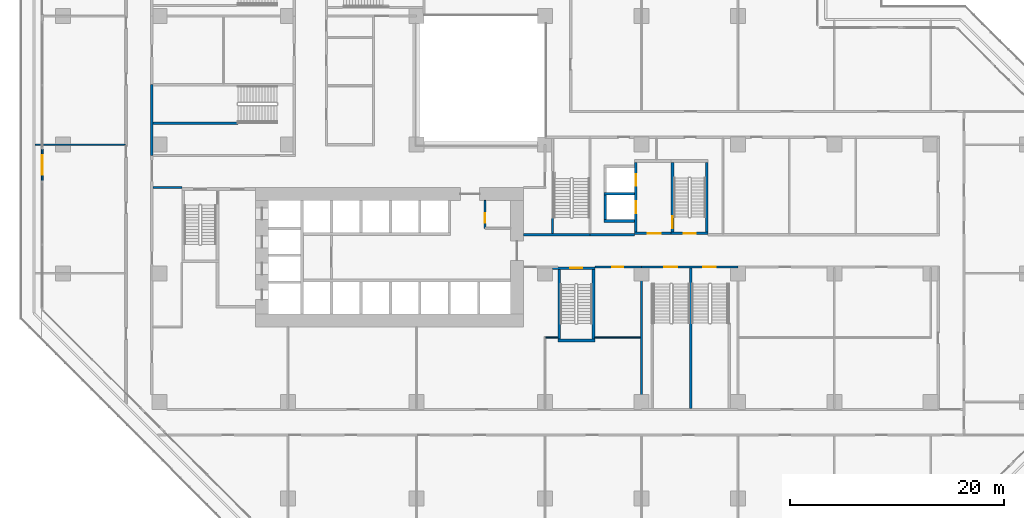
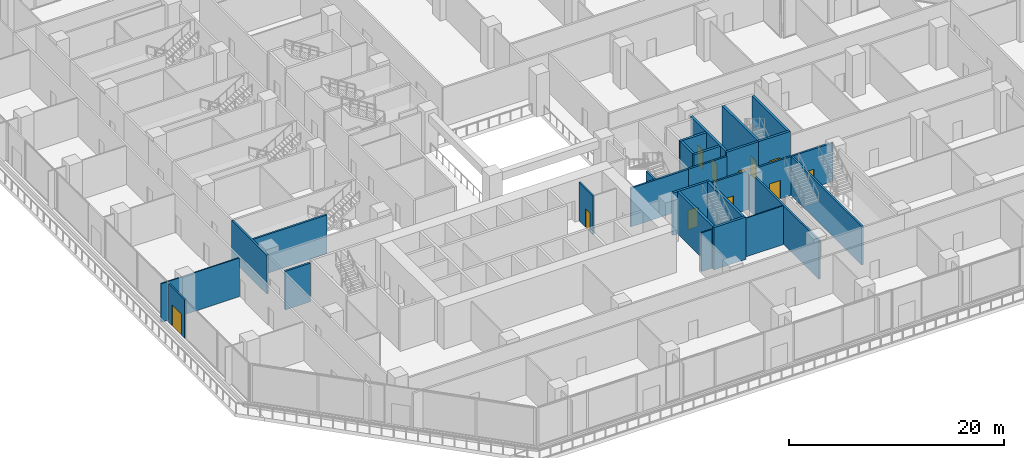
# One storey, part 16 of 31: 27 walls, 11 doors, 11 openings.
"""IFC4 building model written with IfcOpenShell, lengths in metres."""

import ifcopenshell
import ifcopenshell.guid

model = None  # the IFC model being written
_history = None  # IfcOwnerHistory: only IFC2X3 demands one
_inside = {}  # id of a spatial element -> (the spatial element, [elements in it])
_under = {}  # id of a project, library or spatial element -> (it, [spatial elements below it])
_declared = {}  # id of a project -> (the project, [libraries it declares])
_typed = {}  # id of a type object -> (the type object, [elements of that type])
_made_of = {}  # id of a material, layer set ... -> (it, [elements and type objects made of it])


def new_model(schema):
    """Start an empty IFC model of exactly this schema.

    Asked for "IFC4X3", IfcOpenShell would pick the latest addendum, in which some entities
    have other attributes; the version numbers below select the first issue.
    IFC2X3 requires an IfcOwnerHistory on every rooted entity: one is made here for all.
    """
    global model, _history
    if schema == "IFC4X3":
        model = ifcopenshell.file(schema_version=(4, 3, 0, 0))
    else:
        model = ifcopenshell.file(schema=schema)
    _inside.clear()
    _under.clear()
    _declared.clear()
    _typed.clear()
    _made_of.clear()
    _history = None
    if model.schema == "IFC2X3":
        org = make("IfcOrganization", Name="unknown")
        user = make(
            "IfcPersonAndOrganization",
            ThePerson=make("IfcPerson", FamilyName="unknown"),
            TheOrganization=org,
        )
        app = make(
            "IfcApplication",
            ApplicationDeveloper=org,
            Version="unknown",
            ApplicationFullName="unknown",
            ApplicationIdentifier="unknown",
        )
        _history = make(
            "IfcOwnerHistory",
            OwningUser=user,
            OwningApplication=app,
            ChangeAction="ADDED",
            CreationDate=0,
        )
    return model


def make(cls, **values):
    """One entity of the class cls with the attributes given. An attribute that is None is left unset."""
    return model.create_entity(
        cls, **{name: value for name, value in values.items() if value is not None}
    )


def rooted(cls, **values):
    """An entity with a GlobalId (a new one), such as an element, a storey or a relation."""
    return make(cls, GlobalId=ifcopenshell.guid.new(), OwnerHistory=_history, **values)


def si_unit(unit_type, name, prefix=None):
    """IfcSIUnit, for example si_unit("LENGTHUNIT", "METRE", prefix="MILLI")."""
    return make("IfcSIUnit", UnitType=unit_type, Prefix=prefix, Name=name)


def assignment(units):
    """IfcUnitAssignment: the units of a project."""
    return None if units is None else make("IfcUnitAssignment", Units=units)


def point(xyz):
    """IfcCartesianPoint."""
    return None if xyz is None else make("IfcCartesianPoint", Coordinates=xyz)


def direction(xyz):
    """IfcDirection."""
    return None if xyz is None else make("IfcDirection", DirectionRatios=xyz)


def frame(location, z_axis=None, x_axis=None):
    """IfcAxis2Placement3D, a coordinate frame: its origin and axes. An axis left out is left unset."""
    return make(
        "IfcAxis2Placement3D",
        Location=point(location),
        Axis=direction(z_axis),
        RefDirection=direction(x_axis),
    )


def frame_2d(location, x_axis=None):
    """IfcAxis2Placement2D, a coordinate frame in the plane: its origin and x axis."""
    return make(
        "IfcAxis2Placement2D", Location=point(location), RefDirection=direction(x_axis)
    )


def origin():
    """The frame at (0, 0, 0) with its axes left unset."""
    return frame((0.0, 0.0, 0.0))


def place(relative_to, where):
    """IfcLocalPlacement: puts the frame where relative to a parent placement (None: the world)."""
    return make(
        "IfcLocalPlacement", PlacementRelTo=relative_to, RelativePlacement=where
    )


def context(
    kind, dimensions, precision=None, world=None, true_north=None, identifier=None
):
    """IfcGeometricRepresentationContext, for example the 3D "Model" context."""
    return make(
        "IfcGeometricRepresentationContext",
        ContextIdentifier=identifier,
        ContextType=kind,
        CoordinateSpaceDimension=dimensions,
        Precision=precision,
        WorldCoordinateSystem=world,
        TrueNorth=true_north,
    )


def subcontext(parent, identifier, kind, view, scale=None):
    """IfcGeometricRepresentationSubContext, for example "Body" below "Model"."""
    return make(
        "IfcGeometricRepresentationSubContext",
        ContextIdentifier=identifier,
        ContextType=kind,
        ParentContext=parent,
        TargetScale=scale,
        TargetView=view,
    )


def project(units=None, contexts=None):
    """IfcProject with its units and contexts."""
    return rooted(
        "IfcProject",
        Name="project",
        RepresentationContexts=contexts,
        UnitsInContext=assignment(units),
    )


def spatial(cls, under=None, at=None, **own):
    """A site, building, storey or space (cls), placed at a placement, below another one or the project."""
    s = rooted(cls, ObjectPlacement=at, **own)
    if under is not None:
        _under.setdefault(under.id(), (under, []))[1].append(s)
    return s


def profile(cls, at=None, kind="AREA", **sizes):
    """A parametric profile (cls). Its sizes go by their IFC names, for example OverallWidth=200.0."""
    return make(cls, ProfileType=kind, Position=at, **sizes)


def rectangle(**sizes):
    """IfcRectangleProfileDef."""
    return profile("IfcRectangleProfileDef", **sizes)


def extrude(swept, where, along, depth):
    """IfcExtrudedAreaSolid: the profile swept, set in the frame where, extruded along a direction by depth."""
    return make(
        "IfcExtrudedAreaSolid",
        SweptArea=swept,
        Position=where,
        ExtrudedDirection=direction(along),
        Depth=depth,
    )


def shape(context_of_items, identifier, shape_type, items):
    """IfcShapeRepresentation: the items that make up one representation, for example the "Body"."""
    return make(
        "IfcShapeRepresentation",
        ContextOfItems=context_of_items,
        RepresentationIdentifier=identifier,
        RepresentationType=shape_type,
        Items=items,
    )


def material(Name=None, Category=None):
    """IfcMaterial."""
    return make("IfcMaterial", Name=Name, Category=Category)


def layer(
    of_material, thickness, ventilated=None, Name=None, Category=None, Priority=None
):
    """IfcMaterialLayer: one layer of a wall or slab, of a material (None: an air gap)."""
    return make(
        "IfcMaterialLayer",
        Material=of_material,
        LayerThickness=thickness,
        IsVentilated=ventilated,
        Name=Name,
        Category=Category,
        Priority=Priority,
    )


def layer_set(layers, Name=None):
    """IfcMaterialLayerSet."""
    return make("IfcMaterialLayerSet", MaterialLayers=layers, LayerSetName=Name)


def made_of(thing, what):
    """Note that an element or type object is made of a material, layer set ...; save() writes the relation."""
    if what is not None:
        _made_of.setdefault(what.id(), (what, []))[1].append(thing)
    return thing


def type_object(cls, material=None, **own):
    """A type object (cls), such as IfcWallType, which elements share."""
    return made_of(rooted(cls, **own), material)


def element(
    cls,
    number,
    at=None,
    inside=None,
    cuts=None,
    type_object=None,
    material=None,
    context=None,
    identifier="Body",
    shape_type=None,
    held_by="IfcProductDefinitionShape",
    body=None,
    shapes=None,
    **own,
):
    """One element of the class cls, such as IfcWall. Its Tag is "e" and its number.

    at: its placement. inside: the storey or other place that contains it. cuts: it is an
    opening in that element (IfcRelVoidsElement). A single representation is given by context,
    identifier, shape_type and body (its items); several are given by shapes. held_by: the class
    of the entity that holds the representations. save() writes the other relations.
    """
    e = rooted(cls, Tag="e%d" % number, ObjectPlacement=at, **own)
    if body is not None:
        shapes = [shape(context, identifier, shape_type, body)]
    if shapes is not None:
        e.Representation = make(held_by, Representations=shapes)
    if inside is not None:
        _inside.setdefault(inside.id(), (inside, []))[1].append(e)
    if cuts is not None:
        rooted(
            "IfcRelVoidsElement", RelatingBuildingElement=cuts, RelatedOpeningElement=e
        )
    if type_object is not None:
        _typed.setdefault(type_object.id(), (type_object, []))[1].append(e)
    return made_of(e, material)


def fill(opening, filler):
    """IfcRelFillsElement: the door or window that sits in an opening."""
    return rooted(
        "IfcRelFillsElement",
        RelatingOpeningElement=opening,
        RelatedBuildingElement=filler,
    )


def aggregate(whole, parts):
    """IfcRelAggregates: a whole, such as a stair, and the parts it consists of."""
    return rooted("IfcRelAggregates", RelatingObject=whole, RelatedObjects=parts)


def save(model, path):
    """Write the relations noted so far, then the file.

    IfcRelAggregates (storeys below a building ...), IfcRelContainedInSpatialStructure (elements
    in a storey), IfcRelDefinesByType, IfcRelAssociatesMaterial and IfcRelDeclares: one each for
    every whole, place, type object, material and project.
    """
    for whole, parts in _under.values():
        aggregate(whole, parts)
    for where, things in _inside.values():
        rooted(
            "IfcRelContainedInSpatialStructure",
            RelatedElements=things,
            RelatingStructure=where,
        )
    for kind, things in _typed.values():
        rooted("IfcRelDefinesByType", RelatedObjects=things, RelatingType=kind)
    for what, things in _made_of.values():
        rooted("IfcRelAssociatesMaterial", RelatedObjects=things, RelatingMaterial=what)
    for by, libraries in _declared.values():
        rooted("IfcRelDeclares", RelatingContext=by, RelatedDefinitions=libraries)
    model.write(path)


model = new_model("IFC4")

# Units and contexts
model_context = context("Model", 3, precision=1e-05, world=origin(), true_north=direction((0.0, 1.0)))
body_context = subcontext(model_context, "Body", "Model", "MODEL_VIEW")
ifc_project = project(units=[si_unit("LENGTHUNIT", "METRE"), si_unit("AREAUNIT", "SQUARE_METRE"), si_unit("VOLUMEUNIT", "CUBIC_METRE"), si_unit("PLANEANGLEUNIT", "RADIAN"), si_unit("MASSUNIT", "GRAM", prefix="KILO")], contexts=[model_context])

# Site, building, storey
site_placement = place(None, origin())
site = spatial("IfcSite", under=ifc_project, at=site_placement, CompositionType="ELEMENT")
building_placement = place(site_placement, origin())
building = spatial("IfcBuilding", under=site, at=building_placement, Name="Chenar Terraces", CompositionType="ELEMENT")
storey_placement = place(building_placement, frame((0.0, 0.0, 12.0)))
storey = spatial("IfcBuildingStorey", under=building, at=storey_placement, Name="L02", CompositionType="ELEMENT", Elevation=12.0)

# Walls
ifc_material_1 = material(Name="Gypsum board on steel studs with mineral wool", Category="steel")
ifc_layer_1 = layer(ifc_material_1, 0.125)
ifc_layer_set_1 = layer_set([ifc_layer_1], Name="Gypsum board on steel studs with mineral wool")
wall_type_1 = type_object("IfcWallType", Name="Acoustic partition 125", PredefinedType="PARTITIONING", material=ifc_layer_set_1)
wall_1_placement = place(storey_placement, frame((-11.60009765625, 24.0, 0.0), z_axis=(0.0, 0.0, 1.0), x_axis=(1.0, 0.0, 0.0)))
element("IfcWall", 1, at=wall_1_placement, inside=storey, type_object=wall_type_1, Name="Partition L02-002", PredefinedType="PARTITIONING", context=body_context, shape_type="SweptSolid", body=[
    extrude(rectangle(XDim=8.400146484375, YDim=0.125, at=frame_2d((4.2001953125, 0.0))), origin(), (0.0, 0.0, 1.0), 4.39990234375),
])
wall_2_placement = place(storey_placement, frame((36.06201171875, 6.0, 0.0), z_axis=(0.0, 0.0, 1.0), x_axis=(1.0, 0.0, 0.0)))
element("IfcWall", 2, at=wall_2_placement, inside=storey, type_object=wall_type_1, Name="Partition L02-085", PredefinedType="PARTITIONING", context=body_context, shape_type="SweptSolid", body=[
    extrude(rectangle(XDim=1.137939453125, YDim=0.125, at=frame_2d((0.56884765625, 0.0))), origin(), (0.0, 0.0, 1.0), 4.39990234375),
])
wall_3_placement = place(storey_placement, frame((40.64990234375, 6.0, 0.0), z_axis=(0.0, 0.0, 1.0), x_axis=(1.0, 0.0, 0.0)))
element("IfcWall", 3, at=wall_3_placement, inside=storey, type_object=wall_type_1, Name="Partition L02-092", PredefinedType="PARTITIONING", context=body_context, shape_type="SweptSolid", body=[
    extrude(rectangle(XDim=4.25, YDim=0.125, at=frame_2d((2.125, 0.0))), origin(), (0.0, 0.0, 1.0), 4.39990234375),
])

# Wall, opening, door
ifc_material_2 = material(Name="Gypsum board on steel studs", Category="steel")
ifc_layer_2 = layer(ifc_material_2, 0.14990234375)
ifc_layer_set_2 = layer_set([ifc_layer_2], Name="Gypsum board on steel studs")
wall_type_2 = type_object("IfcWallType", Name="Core partition 150 gypsum board", PredefinedType="PARTITIONING", material=ifc_layer_set_2)
wall_4_placement = place(storey_placement, frame((30.39990234375, 16.199951171875, 0.0), z_axis=(0.0, 0.0, 1.0), x_axis=(0.0, 1.0, 0.0)))
wall_4 = element("IfcWall", 4, at=wall_4_placement, inside=storey, type_object=wall_type_2, Name="Core partition CP1 vestibule room west wall", PredefinedType="PARTITIONING", context=body_context, shape_type="SweptSolid", body=[
    extrude(rectangle(XDim=2.60009765625, YDim=0.14990234375, at=frame_2d((1.300048828125, 0.0))), origin(), (0.0, 0.0, 1.0), 4.39990234375),
])
opening_1_placement = place(wall_4_placement, frame((0.5, 0.0, 0.0)))
opening_1 = element("IfcOpeningElement", 5, at=opening_1_placement, cuts=wall_4, Name="Opening DL02-C13", PredefinedType="OPENING", context=body_context, shape_type="SweptSolid", body=[
    extrude(rectangle(XDim=0.89990234375, YDim=2.10009765625, at=frame_2d((0.449951171875, 1.050048828125))), frame((0.0, 0.0849609375, 0.0), z_axis=(0.0, -1.0, 0.0), x_axis=(1.0, 0.0, 0.0)), (0.0, 0.0, 1.0), 0.169921875),
])
ifc_material_3 = material(Name="Steel-framed fire-resisting door leaf", Category="steel")
door_type_1 = type_object("IfcDoorType", Name="Riser fire door FD60 900 x 2100", OperationType="SINGLE_SWING_LEFT", PredefinedType="DOOR", material=ifc_material_3)
door_1_placement = place(opening_1_placement, frame((0.89990234375, 0.0, 0.0), z_axis=(0.0, 0.0, 1.0), x_axis=(-1.0, 0.0, 0.0)))
door_1 = element("IfcDoor", 6, at=door_1_placement, inside=storey, type_object=door_type_1, Name="Core room door DL02-C13", OperationType="SINGLE_SWING_RIGHT", OverallHeight=2.10009765625, OverallWidth=0.89990234375, PredefinedType="DOOR", context=body_context, shape_type="SweptSolid", body=[
    extrude(rectangle(XDim=0.89990234375, YDim=2.10009765625, at=frame_2d((0.449951171875, 1.050048828125))), frame((0.0, 0.02490234375, 0.0), z_axis=(0.0, -1.0, 0.0), x_axis=(1.0, 0.0, 0.0)), (0.0, 0.0, 1.0), 0.050048828125),
])
fill(opening_1, door_1)

# Wall
ifc_material_4 = material(Name="Concrete C70/85", Category="concrete")
ifc_layer_3 = layer(ifc_material_4, 0.25)
ifc_layer_set_3 = layer_set([ifc_layer_3], Name="Concrete C70/85")
wall_type_3 = type_object("IfcWallType", Name="Core wall 250 Concrete C70/85", PredefinedType="SHEAR", material=ifc_layer_set_3)
wall_5_placement = place(storey_placement, frame((37.199951171875, 5.72509765625, 0.0), z_axis=(0.0, 0.0, 1.0), x_axis=(1.0, 0.0, 0.0)))
element("IfcWall", 7, at=wall_5_placement, inside=storey, type_object=wall_type_3, Name="Core wall ST2_S L02", PredefinedType="SHEAR", context=body_context, shape_type="SweptSolid", body=[
    extrude(rectangle(XDim=3.449951171875, YDim=0.25, at=frame_2d((1.72509765625, 0.0))), origin(), (0.0, 0.0, 1.0), 4.800048828125),
])

# Wall, opening, door
wall_6_placement = place(storey_placement, frame((36.699951171875, 12.47509765625, 0.0), z_axis=(0.0, 0.0, 1.0), x_axis=(1.0, 0.0, 0.0)))
wall_6 = element("IfcWall", 8, at=wall_6_placement, inside=storey, type_object=wall_type_3, Name="Core wall ST2_N L02", PredefinedType="SHEAR", context=body_context, shape_type="SweptSolid", body=[
    extrude(rectangle(XDim=3.949951171875, YDim=0.25, at=frame_2d((1.97509765625, 0.0))), origin(), (0.0, 0.0, 1.0), 4.800048828125),
])
opening_2_placement = place(wall_6_placement, frame((1.675048828125, 0.0, 0.0)))
opening_2 = element("IfcOpeningElement", 9, at=opening_2_placement, cuts=wall_6, Name="Opening DL02-C7", PredefinedType="OPENING", context=body_context, shape_type="SweptSolid", body=[
    extrude(rectangle(XDim=1.10009765625, YDim=2.199951171875, at=frame_2d((0.550048828125, 1.10009765625))), frame((0.0, 0.135009765625, 0.0), z_axis=(0.0, -1.0, 0.0), x_axis=(1.0, 0.0, 0.0)), (0.0, 0.0, 1.0), 0.27001953125),
])
ifc_material_5 = material(Name="Steel-framed fire-resisting door leaf", Category="steel")
door_type_2 = type_object("IfcDoorType", Name="Stair fire door FD60 1100 x 2200", OperationType="SINGLE_SWING_LEFT", PredefinedType="DOOR", material=ifc_material_5)
door_2_placement = place(opening_2_placement, frame((1.10009765625, 0.0, 0.0), z_axis=(0.0, 0.0, 1.0), x_axis=(-1.0, 0.0, 0.0)))
door_2 = element("IfcDoor", 10, at=door_2_placement, inside=storey, type_object=door_type_2, Name="Stair door DL02-C7", OperationType="SINGLE_SWING_RIGHT", OverallHeight=2.199951171875, OverallWidth=1.10009765625, PredefinedType="DOOR", context=body_context, shape_type="SweptSolid", body=[
    extrude(rectangle(XDim=1.10009765625, YDim=2.199951171875, at=frame_2d((0.550048828125, 1.10009765625))), frame((0.0, 0.02490234375, 0.0), z_axis=(0.0, -1.0, 0.0), x_axis=(1.0, 0.0, 0.0)), (0.0, 0.0, 1.0), 0.050048828125),
])
fill(opening_2, door_2)

# Walls
for number, where, z_axis, x_axis, name in (
    (11, (37.324951171875, 5.85009765625, 0.0), (0.0, 0.0, 1.0), (0.0, 1.0, 0.0), "Core wall ST2_W L02"),
    (12, (40.52490234375, 5.85009765625, 0.0), (0.0, 0.0, 1.0), (0.0, 1.0, 0.0), "Core wall ST2_E L02"),
):
    element("IfcWall", number, at=place(storey_placement, frame(where, z_axis=z_axis, x_axis=x_axis)), inside=storey, type_object=wall_type_3, Name=name, PredefinedType="SHEAR", context=body_context, shape_type="SweptSolid", body=[
        extrude(rectangle(XDim=6.5, YDim=0.25, at=frame_2d((3.25, 0.0))), origin(), (0.0, 0.0, 1.0), 4.800048828125),
    ])

# Wall, opening, door
wall_7_placement = place(storey_placement, frame((47.77490234375, 15.72509765625, 0.0), z_axis=(0.0, 0.0, 1.0), x_axis=(1.0, 0.0, 0.0)))
wall_7 = element("IfcWall", 13, at=wall_7_placement, inside=storey, type_object=wall_type_3, Name="Core wall ST3_S L02", PredefinedType="SHEAR", context=body_context, shape_type="SweptSolid", body=[
    extrude(rectangle(XDim=3.4501953125, YDim=0.25, at=frame_2d((1.72509765625, 0.0))), origin(), (0.0, 0.0, 1.0), 4.800048828125),
])
opening_3_placement = place(wall_7_placement, frame((1.175048828125, 0.0, 0.0)))
opening_3 = element("IfcOpeningElement", 14, at=opening_3_placement, cuts=wall_7, Name="Opening DL02-C8", PredefinedType="OPENING", context=body_context, shape_type="SweptSolid", body=[
    extrude(rectangle(XDim=1.10009765625, YDim=2.199951171875, at=frame_2d((0.550048828125, 1.10009765625))), frame((0.0, 0.135009765625, 0.0), z_axis=(0.0, -1.0, 0.0), x_axis=(1.0, 0.0, 0.0)), (0.0, 0.0, 1.0), 0.27001953125),
])
door_3_placement = place(opening_3_placement, frame((1.10009765625, 0.0, 0.0), z_axis=(0.0, 0.0, 1.0), x_axis=(-1.0, 0.0, 0.0)))
door_3 = element("IfcDoor", 15, at=door_3_placement, inside=storey, type_object=door_type_2, Name="Stair door DL02-C8", OperationType="SINGLE_SWING_LEFT", OverallHeight=2.199951171875, OverallWidth=1.10009765625, PredefinedType="DOOR", context=body_context, shape_type="SweptSolid", body=[
    extrude(rectangle(XDim=1.10009765625, YDim=2.199951171875, at=frame_2d((0.550048828125, 1.10009765625))), frame((0.0, 0.02490234375, 0.0), z_axis=(0.0, -1.0, 0.0), x_axis=(1.0, 0.0, 0.0)), (0.0, 0.0, 1.0), 0.050048828125),
])
fill(opening_3, door_3)

wall_8_placement = place(storey_placement, frame((47.89990234375, 15.85009765625, 0.0), z_axis=(0.0, 0.0, 1.0), x_axis=(0.0, 1.0, 0.0)))
wall_8 = element("IfcWall", 16, at=wall_8_placement, inside=storey, type_object=wall_type_3, Name="Core wall ST3_W L02", PredefinedType="SHEAR", context=body_context, shape_type="SweptSolid", body=[
    extrude(rectangle(XDim=6.5, YDim=0.25, at=frame_2d((3.25, 0.0))), origin(), (0.0, 0.0, 1.0), 4.800048828125),
])
opening_4_placement = place(wall_8_placement, frame((0.35009765625, 0.0, 0.0)))
opening_4 = element("IfcOpeningElement", 17, at=opening_4_placement, cuts=wall_8, Name="Opening DL02-C11", PredefinedType="OPENING", context=body_context, shape_type="SweptSolid", body=[
    extrude(rectangle(XDim=1.10009765625, YDim=2.199951171875, at=frame_2d((0.550048828125, 1.10009765625))), frame((0.0, 0.135009765625, 0.0), z_axis=(0.0, -1.0, 0.0), x_axis=(1.0, 0.0, 0.0)), (0.0, 0.0, 1.0), 0.27001953125),
])
door_4_placement = place(opening_4_placement, frame((1.10009765625, 0.0, 0.0), z_axis=(0.0, 0.0, 1.0), x_axis=(-1.0, 0.0, 0.0)))
door_4 = element("IfcDoor", 18, at=door_4_placement, inside=storey, type_object=door_type_2, Name="Stair door DL02-C11", OperationType="SINGLE_SWING_RIGHT", OverallHeight=2.199951171875, OverallWidth=1.10009765625, PredefinedType="DOOR", context=body_context, shape_type="SweptSolid", body=[
    extrude(rectangle(XDim=1.10009765625, YDim=2.199951171875, at=frame_2d((0.550048828125, 1.10009765625))), frame((0.0, 0.02490234375, 0.0), z_axis=(0.0, -1.0, 0.0), x_axis=(1.0, 0.0, 0.0)), (0.0, 0.0, 1.0), 0.050048828125),
])
fill(opening_4, door_4)

# Wall
wall_9_placement = place(storey_placement, frame((51.10009765625, 15.85009765625, 0.0), z_axis=(0.0, 0.0, 1.0), x_axis=(0.0, 1.0, 0.0)))
element("IfcWall", 19, at=wall_9_placement, inside=storey, type_object=wall_type_3, Name="Core wall ST3_E L02", PredefinedType="SHEAR", context=body_context, shape_type="SweptSolid", body=[
    extrude(rectangle(XDim=6.5, YDim=0.25, at=frame_2d((3.25, 0.0))), origin(), (0.0, 0.0, 1.0), 4.800048828125),
])

# Wall, opening, door
wall_10_placement = place(storey_placement, frame((44.35009765625, 15.72509765625, 0.0), z_axis=(0.0, 0.0, 1.0), x_axis=(1.0, 0.0, 0.0)))
wall_10 = element("IfcWall", 20, at=wall_10_placement, inside=storey, type_object=wall_type_3, Name="Core wall F3_LS L02", PredefinedType="SHEAR", context=body_context, shape_type="SweptSolid", body=[
    extrude(rectangle(XDim=3.4248046875, YDim=0.25, at=frame_2d((1.71240234375, 0.0))), origin(), (0.0, 0.0, 1.0), 4.800048828125),
])
opening_5_placement = place(wall_10_placement, frame((1.25, 0.0, 0.0)))
opening_5 = element("IfcOpeningElement", 21, at=opening_5_placement, cuts=wall_10, Name="Opening DL02-C10", PredefinedType="OPENING", context=body_context, shape_type="SweptSolid", body=[
    extrude(rectangle(XDim=1.199951171875, YDim=2.199951171875, at=frame_2d((0.60009765625, 1.10009765625))), frame((0.0, 0.135009765625, 0.0), z_axis=(0.0, -1.0, 0.0), x_axis=(1.0, 0.0, 0.0)), (0.0, 0.0, 1.0), 0.27001953125),
])
ifc_material_6 = material(Name="Steel-framed fire-resisting door leaf", Category="steel")
door_type_3 = type_object("IfcDoorType", Name="Lobby fire door FD60 1200 x 2200", OperationType="SINGLE_SWING_LEFT", PredefinedType="DOOR", material=ifc_material_6)
door_5_placement = place(opening_5_placement, origin())
door_5 = element("IfcDoor", 22, at=door_5_placement, inside=storey, type_object=door_type_3, Name="Core door DL02-C10", OperationType="SINGLE_SWING_RIGHT", OverallHeight=2.199951171875, OverallWidth=1.199951171875, PredefinedType="DOOR", context=body_context, shape_type="SweptSolid", body=[
    extrude(rectangle(XDim=1.199951171875, YDim=2.199951171875, at=frame_2d((0.60009765625, 1.10009765625))), frame((0.0, 0.02490234375, 0.0), z_axis=(0.0, -1.0, 0.0), x_axis=(1.0, 0.0, 0.0)), (0.0, 0.0, 1.0), 0.050048828125),
])
fill(opening_5, door_5)

# Wall, openings, doors
wall_11_placement = place(storey_placement, frame((44.47509765625, 15.85009765625, 0.0), z_axis=(0.0, 0.0, 1.0), x_axis=(0.0, 1.0, 0.0)))
wall_11 = element("IfcWall", 23, at=wall_11_placement, inside=storey, type_object=wall_type_3, Name="Core wall F3_LW L02", PredefinedType="SHEAR", context=body_context, shape_type="SweptSolid", body=[
    extrude(rectangle(XDim=6.5, YDim=0.25, at=frame_2d((3.25, 0.0))), origin(), (0.0, 0.0, 1.0), 4.800048828125),
])
opening_6_placement = place(wall_11_placement, frame((1.75, 0.0, 0.0)))
opening_6 = element("IfcOpeningElement", 24, at=opening_6_placement, cuts=wall_11, Name="Opening DL02-LD4", PredefinedType="OPENING", context=body_context, shape_type="SweptSolid", body=[
    extrude(rectangle(XDim=1.10009765625, YDim=2.199951171875, at=frame_2d((0.550048828125, 1.10009765625))), frame((0.0, 0.135009765625, 0.0), z_axis=(0.0, -1.0, 0.0), x_axis=(1.0, 0.0, 0.0)), (0.0, 0.0, 1.0), 0.27001953125),
])
opening_7_placement = place(wall_11_placement, frame((4.300048828125, 0.0, 0.0)))
opening_7 = element("IfcOpeningElement", 25, at=opening_7_placement, cuts=wall_11, Name="Opening DL02-LD5", PredefinedType="OPENING", context=body_context, shape_type="SweptSolid", body=[
    extrude(rectangle(XDim=1.10009765625, YDim=2.199951171875, at=frame_2d((0.550048828125, 1.10009765625))), frame((0.0, 0.135009765625, 0.0), z_axis=(0.0, -1.0, 0.0), x_axis=(1.0, 0.0, 0.0)), (0.0, 0.0, 1.0), 0.27001953125),
])
ifc_material_7 = material(Name="Stainless steel", Category="steel")
door_type_4 = type_object("IfcDoorType", Name="Lift landing door 1100 x 2200 sliding", OperationType="DOUBLE_DOOR_SLIDING", PredefinedType="DOOR", material=ifc_material_7)
door_6_placement = place(opening_6_placement, origin())
door_6 = element("IfcDoor", 26, at=door_6_placement, inside=storey, type_object=door_type_4, Name="Landing door F3", OperationType="DOUBLE_DOOR_SLIDING", OverallHeight=2.199951171875, OverallWidth=1.10009765625, PredefinedType="DOOR", context=body_context, shape_type="SweptSolid", body=[
    extrude(rectangle(XDim=1.10009765625, YDim=2.199951171875, at=frame_2d((0.550048828125, 1.10009765625))), frame((0.0, 0.02490234375, 0.0), z_axis=(0.0, -1.0, 0.0), x_axis=(1.0, 0.0, 0.0)), (0.0, 0.0, 1.0), 0.050048828125),
])
fill(opening_6, door_6)
door_7_placement = place(opening_7_placement, origin())
door_7 = element("IfcDoor", 27, at=door_7_placement, inside=storey, type_object=door_type_4, Name="Landing door F4", OperationType="DOUBLE_DOOR_SLIDING", OverallHeight=2.199951171875, OverallWidth=1.10009765625, PredefinedType="DOOR", context=body_context, shape_type="SweptSolid", body=[
    extrude(rectangle(XDim=1.10009765625, YDim=2.199951171875, at=frame_2d((0.550048828125, 1.10009765625))), frame((0.0, 0.02490234375, 0.0), z_axis=(0.0, -1.0, 0.0), x_axis=(1.0, 0.0, 0.0)), (0.0, 0.0, 1.0), 0.050048828125),
])
fill(opening_7, door_7)

# Walls
for number, where, z_axis, x_axis, name in (
    (28, (41.5, 16.875, 0.0), (0.0, 0.0, 1.0), (1.0, 0.0, 0.0), "Core wall F3_SS L02"),
    (29, (41.5, 19.425048828125, 0.0), (0.0, 0.0, 1.0), (1.0, 0.0, 0.0), "Core wall F3_SM L02"),
):
    element("IfcWall", number, at=place(storey_placement, frame(where, z_axis=z_axis, x_axis=x_axis)), inside=storey, type_object=wall_type_3, Name=name, PredefinedType="SHEAR", context=body_context, shape_type="SweptSolid", body=[
        extrude(rectangle(XDim=2.85009765625, YDim=0.25, at=frame_2d((1.425048828125, 0.0))), origin(), (0.0, 0.0, 1.0), 4.800048828125),
    ])
wall_12_placement = place(storey_placement, frame((41.625, 17.0, 0.0), z_axis=(0.0, 0.0, 1.0), x_axis=(0.0, 1.0, 0.0)))
element("IfcWall", 30, at=wall_12_placement, inside=storey, type_object=wall_type_3, Name="Core wall F3_SW L02", PredefinedType="SHEAR", context=body_context, shape_type="SweptSolid", body=[
    extrude(rectangle(XDim=2.300048828125, YDim=0.25, at=frame_2d((1.14990234375, 0.0))), origin(), (0.0, 0.0, 1.0), 4.800048828125),
])
ifc_material_8 = material(Name="Gypsum board on steel studs with fire boards", Category="steel")
ifc_layer_4 = layer(ifc_material_8, 0.199951171875)
ifc_layer_set_4 = layer_set([ifc_layer_4], Name="Gypsum board on steel studs with fire boards")
wall_type_4 = type_object("IfcWallType", Name="Corridor wall 200", PredefinedType="PARTITIONING", material=ifc_layer_set_4)
wall_13_placement = place(storey_placement, frame((-0.60009765625, 20.0, 0.0), z_axis=(0.0, 0.0, 1.0), x_axis=(1.0, 0.0, 0.0)))
element("IfcWall", 31, at=wall_13_placement, inside=storey, type_object=wall_type_4, Name="Partition L02-021", PredefinedType="PARTITIONING", context=body_context, shape_type="SweptSolid", body=[
    extrude(rectangle(XDim=2.7001953125, YDim=0.199951171875, at=frame_2d((1.35009765625, 0.0))), origin(), (0.0, 0.0, 1.0), 4.39990234375),
])
wall_14_placement = place(storey_placement, frame((40.199951171875, 15.60009765625, 0.0), z_axis=(0.0, 0.0, 1.0), x_axis=(1.0, 0.0, 0.0)))
element("IfcWall", 32, at=wall_14_placement, inside=storey, type_object=wall_type_4, Name="Partition L02-089", PredefinedType="PARTITIONING", context=body_context, shape_type="SweptSolid", body=[
    extrude(rectangle(XDim=4.150146484375, YDim=0.199951171875, at=frame_2d((2.0751953125, 0.0))), origin(), (0.0, 0.0, 1.0), 4.39990234375),
])

# Wall, opening, door
wall_15_placement = place(storey_placement, frame((40.64990234375, 12.60009765625, 0.0), z_axis=(0.0, 0.0, 1.0), x_axis=(1.0, 0.0, 0.0)))
wall_15 = element("IfcWall", 33, at=wall_15_placement, inside=storey, type_object=wall_type_4, Name="Partition L02-093", PredefinedType="PARTITIONING", context=body_context, shape_type="SweptSolid", body=[
    extrude(rectangle(XDim=4.35009765625, YDim=0.199951171875, at=frame_2d((2.175048828125, 0.0))), origin(), (0.0, 0.0, 1.0), 4.39990234375),
])
opening_8_placement = place(wall_15_placement, frame((1.64990234375, 0.0, 0.0)))
opening_8 = element("IfcOpeningElement", 34, at=opening_8_placement, cuts=wall_15, Name="Opening DL02-1", PredefinedType="OPENING", context=body_context, shape_type="SweptSolid", body=[
    extrude(rectangle(XDim=1.0, YDim=2.10009765625, at=frame_2d((0.5, 1.050048828125))), frame((0.0, 0.10986328125, 0.0), z_axis=(0.0, -1.0, 0.0), x_axis=(1.0, 0.0, 0.0)), (0.0, 0.0, 1.0), 0.219970703125),
])
ifc_material_9 = material(Name="Steel-framed fire-resisting door leaf", Category="steel")
door_type_5 = type_object("IfcDoorType", Name="Fire door FD60 1000 x 2100", OperationType="SINGLE_SWING_LEFT", PredefinedType="DOOR", material=ifc_material_9)
door_8_placement = place(opening_8_placement, frame((1.0, 0.0, 0.0), z_axis=(0.0, 0.0, 1.0), x_axis=(-1.0, 0.0, 0.0)))
door_8 = element("IfcDoor", 35, at=door_8_placement, inside=storey, type_object=door_type_5, Name="Door DL02-1", OperationType="SINGLE_SWING_LEFT", OverallHeight=2.10009765625, OverallWidth=1.0, PredefinedType="DOOR", context=body_context, shape_type="SweptSolid", body=[
    extrude(rectangle(XDim=1.0, YDim=2.10009765625, at=frame_2d((0.5, 1.050048828125))), frame((0.0, 0.02490234375, 0.0), z_axis=(0.0, -1.0, 0.0), x_axis=(1.0, 0.0, 0.0)), (0.0, 0.0, 1.0), 0.050048828125),
])
fill(opening_8, door_8)

ifc_material_10 = material(Name="Aluminium framed glazing", Category="aluminium")
ifc_layer_5 = layer(ifc_material_10, 0.14990234375)
ifc_layer_set_5 = layer_set([ifc_layer_5], Name="Aluminium framed glazing")
wall_type_5 = type_object("IfcWallType", Name="Podium glazed wall 150", PredefinedType="SOLIDWALL", material=ifc_layer_set_5)
wall_16_placement = place(storey_placement, frame((-10.925048828125, 23.607421875, 0.0), z_axis=(0.0, 0.0, 1.0), x_axis=(0.0, -1.0, 0.0)))
wall_16 = element("IfcWall", 36, at=wall_16_placement, inside=storey, type_object=wall_type_5, Name="Podium glazed wall", PredefinedType="SOLIDWALL", context=body_context, shape_type="SweptSolid", body=[
    extrude(rectangle(XDim=3.0, YDim=0.14990234375, at=frame_2d((1.5, 0.0))), origin(), (0.0, 0.0, 1.0), 4.39990234375),
])
opening_9_placement = place(wall_16_placement, frame((0.60009765625, 0.0, 0.0)))
opening_9 = element("IfcOpeningElement", 37, at=opening_9_placement, cuts=wall_16, Name="Opening DL02-T3", PredefinedType="OPENING", context=body_context, shape_type="SweptSolid", body=[
    extrude(rectangle(XDim=1.800048828125, YDim=2.39990234375, at=frame_2d((0.89990234375, 1.199951171875))), frame((0.0, 0.0849609375, 0.0), z_axis=(0.0, -1.0, 0.0), x_axis=(1.0, 0.0, 0.0)), (0.0, 0.0, 1.0), 0.169921875),
])
ifc_material_11 = material(Name="Low emissivity double glazing, aluminium frame", Category="aluminium")
door_type_6 = type_object("IfcDoorType", Name="Terrace glazed double door 1800 x 2400", OperationType="DOUBLE_DOOR_SINGLE_SWING", PredefinedType="DOOR", material=ifc_material_11)
door_9_placement = place(opening_9_placement, frame((1.800048828125, 0.0, 0.0), z_axis=(0.0, 0.0, 1.0), x_axis=(-1.0, 0.0, 0.0)))
door_9 = element("IfcDoor", 38, at=door_9_placement, inside=storey, type_object=door_type_6, Name="Terrace glazed door", OperationType="DOUBLE_DOOR_SINGLE_SWING", OverallHeight=2.39990234375, OverallWidth=1.800048828125, PredefinedType="DOOR", context=body_context, shape_type="SweptSolid", body=[
    extrude(rectangle(XDim=1.800048828125, YDim=2.39990234375, at=frame_2d((0.89990234375, 1.199951171875))), frame((0.0, 0.02490234375, 0.0), z_axis=(0.0, -1.0, 0.0), x_axis=(1.0, 0.0, 0.0)), (0.0, 0.0, 1.0), 0.050048828125),
])
fill(opening_9, door_9)

# Walls
ifc_material_12 = material(Name="Reinforced concrete C40/50", Category="concrete")
ifc_layer_6 = layer(ifc_material_12, 0.199951171875)
ifc_layer_set_6 = layer_set([ifc_layer_6], Name="Reinforced concrete C40/50")
wall_type_6 = type_object("IfcWallType", Name="Stair enclosure wall 200 concrete", PredefinedType="SOLIDWALL", material=ifc_layer_set_6)
wall_17_placement = place(storey_placement, frame((-0.699951171875, 23.0, 0.0), z_axis=(0.0, 0.0, 1.0), x_axis=(0.0, 1.0, 0.0)))
element("IfcWall", 39, at=wall_17_placement, inside=storey, type_object=wall_type_6, Name="Stair enclosure wall L02-012", PredefinedType="SOLIDWALL", context=body_context, shape_type="SweptSolid", body=[
    extrude(rectangle(XDim=6.60009765625, YDim=0.199951171875, at=frame_2d((3.300048828125, 0.0))), origin(), (0.0, 0.0, 1.0), 4.39990234375),
])
wall_18_placement = place(storey_placement, frame((34.0, 15.60009765625, 0.0), z_axis=(0.0, 0.0, 1.0), x_axis=(1.0, 0.0, 0.0)))
element("IfcWall", 40, at=wall_18_placement, inside=storey, type_object=wall_type_6, Name="Stair enclosure wall L02-077", PredefinedType="SOLIDWALL", context=body_context, shape_type="SweptSolid", body=[
    extrude(rectangle(XDim=6.199951171875, YDim=0.199951171875, at=frame_2d((3.10009765625, 0.0))), origin(), (0.0, 0.0, 1.0), 4.39990234375),
])
wall_19_placement = place(storey_placement, frame((45.0, -0.60009765625, 0.0), z_axis=(0.0, 0.0, 1.0), x_axis=(0.0, 1.0, 0.0)))
element("IfcWall", 41, at=wall_19_placement, inside=storey, type_object=wall_type_6, Name="Stair enclosure wall L02-096", PredefinedType="SOLIDWALL", context=body_context, shape_type="SweptSolid", body=[
    extrude(rectangle(XDim=13.10009765625, YDim=0.199951171875, at=frame_2d((6.550048828125, 0.0))), origin(), (0.0, 0.0, 1.0), 4.39990234375),
])

# Wall, openings, doors
wall_20_placement = place(storey_placement, frame((45.0, 12.60009765625, 0.0), z_axis=(0.0, 0.0, 1.0), x_axis=(1.0, 0.0, 0.0)))
wall_20 = element("IfcWall", 42, at=wall_20_placement, inside=storey, type_object=wall_type_6, Name="Stair enclosure wall L02-097", PredefinedType="SOLIDWALL", context=body_context, shape_type="SweptSolid", body=[
    extrude(rectangle(XDim=9.0, YDim=0.199951171875, at=frame_2d((4.5, 0.0))), origin(), (0.0, 0.0, 1.0), 4.39990234375),
])
opening_10_placement = place(wall_20_placement, frame((5.75, 0.0, 0.0)))
opening_10 = element("IfcOpeningElement", 43, at=opening_10_placement, cuts=wall_20, Name="Opening DL02-80", PredefinedType="OPENING", context=body_context, shape_type="SweptSolid", body=[
    extrude(rectangle(XDim=1.199951171875, YDim=2.10009765625, at=frame_2d((0.60009765625, 1.050048828125))), frame((0.0, 0.10986328125, 0.0), z_axis=(0.0, -1.0, 0.0), x_axis=(1.0, 0.0, 0.0)), (0.0, 0.0, 1.0), 0.219970703125),
])
opening_11_placement = place(wall_20_placement, frame((2.14990234375, 0.0, 0.0)))
opening_11 = element("IfcOpeningElement", 44, at=opening_11_placement, cuts=wall_20, Name="Opening DL02-84", PredefinedType="OPENING", context=body_context, shape_type="SweptSolid", body=[
    extrude(rectangle(XDim=1.199951171875, YDim=2.10009765625, at=frame_2d((0.60009765625, 1.050048828125))), frame((0.0, 0.10986328125, 0.0), z_axis=(0.0, -1.0, 0.0), x_axis=(1.0, 0.0, 0.0)), (0.0, 0.0, 1.0), 0.219970703125),
])
ifc_material_13 = material(Name="Steel-framed fire-resisting door leaf", Category="steel")
door_type_7 = type_object("IfcDoorType", Name="Fire door FD120 1200 x 2100", OperationType="SINGLE_SWING_LEFT", PredefinedType="DOOR", material=ifc_material_13)
door_10_placement = place(opening_10_placement, frame((1.199951171875, 0.0, 0.0), z_axis=(0.0, 0.0, 1.0), x_axis=(-1.0, 0.0, 0.0)))
door_10 = element("IfcDoor", 45, at=door_10_placement, inside=storey, type_object=door_type_7, Name="Door DL02-80", OperationType="SINGLE_SWING_RIGHT", OverallHeight=2.10009765625, OverallWidth=1.199951171875, PredefinedType="DOOR", context=body_context, shape_type="SweptSolid", body=[
    extrude(rectangle(XDim=1.199951171875, YDim=2.10009765625, at=frame_2d((0.60009765625, 1.050048828125))), frame((0.0, 0.02490234375, 0.0), z_axis=(0.0, -1.0, 0.0), x_axis=(1.0, 0.0, 0.0)), (0.0, 0.0, 1.0), 0.050048828125),
])
fill(opening_10, door_10)
door_11_placement = place(opening_11_placement, frame((1.199951171875, 0.0, 0.0), z_axis=(0.0, 0.0, 1.0), x_axis=(-1.0, 0.0, 0.0)))
door_11 = element("IfcDoor", 46, at=door_11_placement, inside=storey, type_object=door_type_7, Name="Door DL02-84", OperationType="SINGLE_SWING_LEFT", OverallHeight=2.10009765625, OverallWidth=1.199951171875, PredefinedType="DOOR", context=body_context, shape_type="SweptSolid", body=[
    extrude(rectangle(XDim=1.199951171875, YDim=2.10009765625, at=frame_2d((0.60009765625, 1.050048828125))), frame((0.0, 0.02490234375, 0.0), z_axis=(0.0, -1.0, 0.0), x_axis=(1.0, 0.0, 0.0)), (0.0, 0.0, 1.0), 0.050048828125),
])
fill(opening_11, door_11)

# Walls
wall_21_placement = place(storey_placement, frame((49.60009765625, -0.60009765625, 0.0), z_axis=(0.0, 0.0, 1.0), x_axis=(0.0, 1.0, 0.0)))
element("IfcWall", 47, at=wall_21_placement, inside=storey, type_object=wall_type_6, Name="Stair enclosure wall L02-101", PredefinedType="SOLIDWALL", context=body_context, shape_type="SweptSolid", body=[
    extrude(rectangle(XDim=13.10009765625, YDim=0.199951171875, at=frame_2d((6.550048828125, 0.0))), origin(), (0.0, 0.0, 1.0), 4.39990234375),
])
wall_22_placement = place(storey_placement, frame((36.715087890625, 15.699951171875, 0.0), z_axis=(0.0, 0.0, 1.0), x_axis=(0.0, 1.0, 0.0)))
element("IfcWall", 48, at=wall_22_placement, inside=storey, type_object=wall_type_6, Name="Stair enclosure wall L02-PS1-010", PredefinedType="SOLIDWALL", context=body_context, shape_type="SweptSolid", body=[
    extrude(rectangle(XDim=1.5, YDim=0.199951171875, at=frame_2d((0.75, 0.0))), origin(), (0.0, 0.0, 1.0), 4.39990234375),
])
wall_23_placement = place(storey_placement, frame((-0.60009765625, 26.0, 0.0), z_axis=(0.0, 0.0, 1.0), x_axis=(1.0, 0.0, 0.0)))
element("IfcWall", 49, at=wall_23_placement, inside=storey, type_object=wall_type_6, Name="Stair enclosure wall L02-PS5-032", PredefinedType="SOLIDWALL", context=body_context, shape_type="SweptSolid", body=[
    extrude(rectangle(XDim=7.945068359375, YDim=0.199951171875, at=frame_2d((3.97265625, 0.0))), origin(), (0.0, 0.0, 1.0), 4.39990234375),
])

save(model, "model.ifc")
